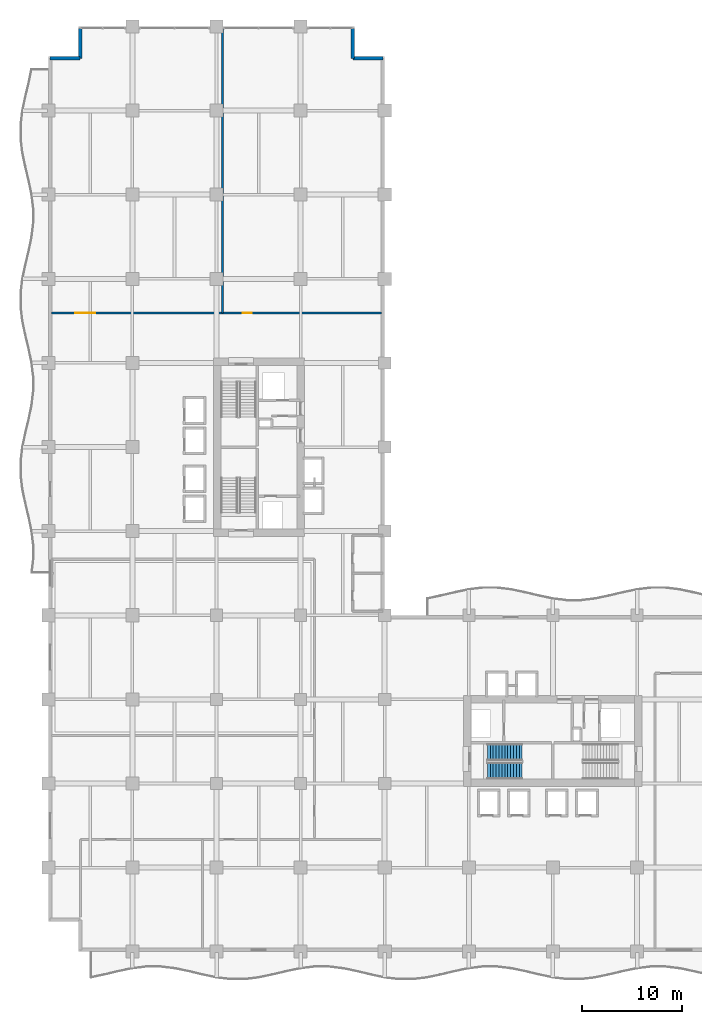
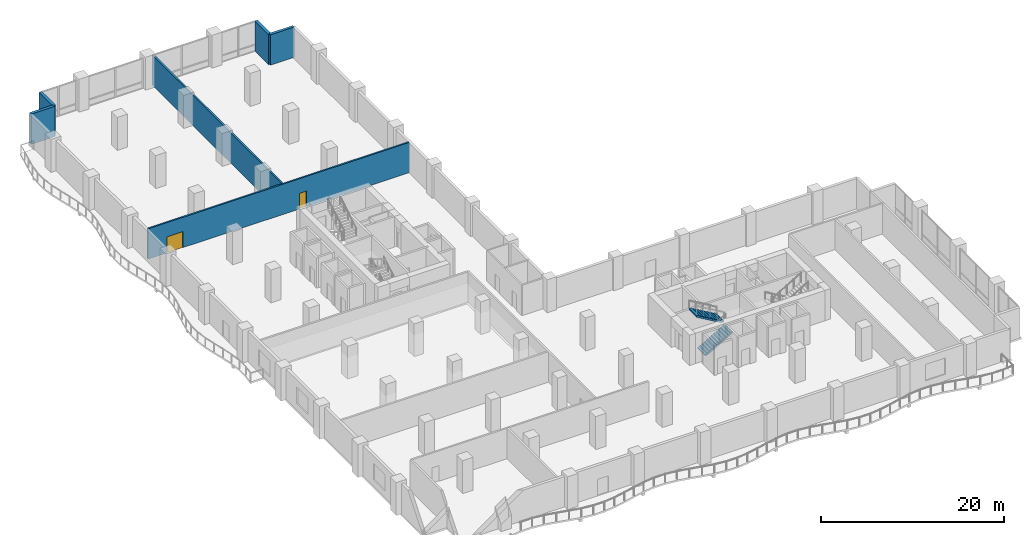
# One storey, part 18 of 24: 6 walls, 2 doors, 2 stair flights, 2 openings, 1 element without a shape of its own.
"""IFC4 building model written with IfcOpenShell, lengths in metres."""

from ifc_helpers import new_model, si_unit, direction, frame, frame_2d, origin, place, context, subcontext, project, spatial, polyline, rectangle, outline, extrude, material, layer, layer_set, type_object, element, fill, aggregate, save


model = new_model("IFC4")

# Units and contexts
model_context = context("Model", 3, precision=1e-05, world=origin(), true_north=direction((0.0, 1.0)))
body_context = subcontext(model_context, "Body", "Model", "MODEL_VIEW")
ifc_project = project(units=[si_unit("LENGTHUNIT", "METRE"), si_unit("AREAUNIT", "SQUARE_METRE"), si_unit("VOLUMEUNIT", "CUBIC_METRE"), si_unit("PLANEANGLEUNIT", "RADIAN"), si_unit("MASSUNIT", "GRAM", prefix="KILO")], contexts=[model_context])

# Site, building, storey
site_placement = place(None, origin())
site = spatial("IfcSite", under=ifc_project, at=site_placement, CompositionType="ELEMENT")
building_placement = place(site_placement, origin())
building = spatial("IfcBuilding", under=site, at=building_placement, Name="Koriwani Terraces Tower", CompositionType="ELEMENT")
storey_placement = place(building_placement, frame((0.0, 0.0, 89.60009765625)))
storey = spatial("IfcBuildingStorey", under=building, at=storey_placement, Name="L21", CompositionType="ELEMENT", Elevation=89.60009765625)

# Wall, openings, doors
ifc_material_1 = material(Name="Autoclaved Cellular Concrete Blockwork", Category="masonry")
ifc_layer_1 = layer(ifc_material_1, 0.199951171875, Name="Autoclaved Cellular Concrete Blockwork")
ifc_layer_set_1 = layer_set([ifc_layer_1], Name="Autoclaved Cellular Concrete Blockwork")
wall_type_1 = type_object("IfcWallType", Name="WALL_CORRIDOR_200", PredefinedType="PARTITIONING", material=ifc_layer_set_1)
wall_1_placement = place(storey_placement, frame((0.300048828125, 63.800048828125, 0.0), z_axis=(0.0, 0.0, 1.0), x_axis=(1.0, 0.0, 0.0)))
wall_1 = element("IfcWall", 1, at=wall_1_placement, inside=storey, type_object=wall_type_1, Name="L21 Interior Wall WSKY-N1-L21", PredefinedType="PARTITIONING", context=body_context, shape_type="SweptSolid", body=[
    extrude(rectangle(XDim=33.0, YDim=0.199951171875, at=frame_2d((16.5, 0.0))), origin(), (0.0, 0.0, 1.0), 4.0498046875),
])
opening_1_placement = place(wall_1_placement, frame((2.39990234375, 0.0, 0.0)))
opening_1 = element("IfcOpeningElement", 2, at=opening_1_placement, cuts=wall_1, Name="Opening D-02", PredefinedType="OPENING", context=body_context, shape_type="SweptSolid", body=[
    extrude(rectangle(XDim=2.0, YDim=2.14990234375, at=frame_2d((1.0, 1.074951171875))), frame((0.0, 0.10986328125, 0.0), z_axis=(0.0, -1.0, 0.0), x_axis=(1.0, 0.0, 0.0)), (0.0, 0.0, 1.0), 0.219970703125),
])
opening_2_placement = place(wall_1_placement, frame((19.10009765625, 0.0, 0.0)))
opening_2 = element("IfcOpeningElement", 3, at=opening_2_placement, cuts=wall_1, Name="Opening D-06", PredefinedType="OPENING", context=body_context, shape_type="SweptSolid", body=[
    extrude(rectangle(XDim=0.919921875, YDim=2.10009765625, at=frame_2d((0.4599609375, 1.050048828125))), frame((0.0, 0.10986328125, 0.0), z_axis=(0.0, -1.0, 0.0), x_axis=(1.0, 0.0, 0.0)), (0.0, 0.0, 1.0), 0.219970703125),
])
ifc_material_2 = material(Name="Anodised Bronze Aluminium", Category="aluminium")
door_type_1 = type_object("IfcDoorType", Name="DOOR_ENTRANCE_DOUBLE_2000X2400", OperationType="NOTDEFINED", PredefinedType="DOOR", material=ifc_material_2)
door_1_placement = place(opening_1_placement, origin())
door_1 = element("IfcDoor", 4, at=door_1_placement, inside=storey, type_object=door_type_1, Name="L21 North Wellness Studio Door", OperationType="SINGLE_SWING_LEFT", OverallHeight=2.14990234375, OverallWidth=2.0, PredefinedType="DOOR", context=body_context, shape_type="SweptSolid", body=[
    extrude(rectangle(XDim=2.0, YDim=2.14990234375, at=frame_2d((1.0, 1.074951171875))), frame((0.0, 0.02490234375, 0.0), z_axis=(0.0, -1.0, 0.0), x_axis=(1.0, 0.0, 0.0)), (0.0, 0.0, 1.0), 0.050048828125),
])
fill(opening_1, door_1)
ifc_material_3 = material(Name="Architectural Oak Fire Door", Category="wood")
door_type_2 = type_object("IfcDoorType", Name="DOOR_ROOM_INT_920X2100", OperationType="NOTDEFINED", PredefinedType="DOOR", material=ifc_material_3)
door_2_placement = place(opening_2_placement, origin())
door_2 = element("IfcDoor", 5, at=door_2_placement, inside=storey, type_object=door_type_2, Name="L21 North Observatory Salon Door", OperationType="SINGLE_SWING_RIGHT", OverallHeight=2.10009765625, OverallWidth=0.919921875, PredefinedType="DOOR", context=body_context, shape_type="SweptSolid", body=[
    extrude(rectangle(XDim=0.919921875, YDim=2.10009765625, at=frame_2d((0.4599609375, 1.050048828125))), frame((0.0, 0.02490234375, 0.0), z_axis=(0.0, -1.0, 0.0), x_axis=(1.0, 0.0, 0.0)), (0.0, 0.0, 1.0), 0.050048828125),
])
fill(opening_2, door_2)

# Walls
ifc_layer_2 = layer(ifc_material_1, 0.219970703125, Name="Autoclaved Cellular Concrete Blockwork")
ifc_layer_set_2 = layer_set([ifc_layer_2], Name="Autoclaved Cellular Concrete Blockwork")
wall_type_2 = type_object("IfcWallType", Name="WALL_DEMISING_220", PredefinedType="PARTITIONING", material=ifc_layer_set_2)
wall_2_placement = place(storey_placement, frame((17.39990234375, 63.800048828125, 0.0), z_axis=(0.0, 0.0, 1.0), x_axis=(0.0, 1.0, 0.0)))
element("IfcWall", 6, at=wall_2_placement, inside=storey, type_object=wall_type_2, Name="L21 Interior Wall WSKY-NDIV-L21", PredefinedType="PARTITIONING", context=body_context, shape_type="SweptSolid", body=[
    extrude(rectangle(XDim=28.449951171875, YDim=0.219970703125, at=frame_2d((14.22509765625, 0.0))), origin(), (0.0, 0.0, 1.0), 4.0498046875),
])
ifc_material_4 = material(Name="Concrete C50/60", Category="concrete")
ifc_layer_3 = layer(ifc_material_4, 0.35009765625, Name="Concrete C50/60")
ifc_layer_set_3 = layer_set([ifc_layer_3], Name="Concrete C50/60")
wall_type_3 = type_object("IfcWallType", Name="WALL_EXT_BRUTALIST_350", PredefinedType="STANDARD", material=ifc_layer_set_3)
for number, where, z_axis, x_axis, name in (
    (7, (0.175048828125, 89.22509765625, 0.0), (0.0, 0.0, 1.0), (1.0, 0.0, 0.0), "L21 Fair-Faced Brutalist Exterior Wall (N3)"),
    (8, (3.175048828125, 89.22509765625, 0.0), (0.0, 0.0, 1.0), (0.0, 1.0, 0.0), "L21 Fair-Faced Brutalist Exterior Wall (N4)"),
    (9, (30.425048828125, 92.22509765625, 0.0), (0.0, 0.0, 1.0), (0.0, -1.0, 0.0), "L21 Fair-Faced Brutalist Exterior Wall (N6)"),
    (10, (30.425048828125, 89.22509765625, 0.0), (0.0, 0.0, 1.0), (1.0, 0.0, 0.0), "L21 Fair-Faced Brutalist Exterior Wall (N7)"),
):
    element("IfcWall", number, at=place(storey_placement, frame(where, z_axis=z_axis, x_axis=x_axis)), inside=storey, type_object=wall_type_3, Name=name, PredefinedType="STANDARD", context=body_context, shape_type="SweptSolid", body=[
        extrude(rectangle(XDim=3.0, YDim=0.35009765625, at=frame_2d((1.5, 0.0))), origin(), (0.0, 0.0, 1.0), 4.0498046875),
    ])

# Stair, stair flights
ifc_material_5 = material(Name="Concrete C40/50", Category="concrete")
stair_type = type_object("IfcStairType", Name="STAIR_CORE_DOGLEG_1650", PredefinedType="TWO_STRAIGHT_RUN_STAIR", material=ifc_material_5)
stair_placement = place(storey_placement, origin())
stair = element("IfcStair", 11, at=stair_placement, inside=storey, type_object=stair_type, Name="L21 East Core Exit Stair 1", PredefinedType="HALF_TURN_STAIR")
stair_flight_type = type_object("IfcStairFlightType", Name="STAIR_FLIGHT_RC_1650", PredefinedType="STRAIGHT", material=ifc_material_5)
stair_flight_1_placement = place(storey_placement, frame((43.85009765625, 18.074951171875, 0.0), z_axis=(0.0, 0.0, 1.0), x_axis=(1.0, 0.0, 0.0)))
stair_flight_1 = element("IfcStairFlight", 12, at=stair_flight_1_placement, type_object=stair_flight_type, Name="ST-E1 flight 1", NumberOfRisers=13, NumberOfTreads=12, PredefinedType="STRAIGHT", RiserHeight=0.169230769, TreadLength=0.29, context=body_context, shape_type="SweptSolid", body=[
    extrude(outline(polyline([(0.0, 0.0), (0.0, 0.169189453125), (0.2900390625, 0.169189453125), (0.2900390625, 0.33837890625), (0.580078125, 0.33837890625), (0.580078125, 0.5078125), (0.8701171875, 0.5078125), (0.8701171875, 0.677001953125), (1.159912109375, 0.677001953125), (1.159912109375, 0.84619140625), (1.449951171875, 0.84619140625), (1.449951171875, 1.015380859375), (1.739990234375, 1.015380859375), (1.739990234375, 1.1845703125), (2.030029296875, 1.1845703125), (2.030029296875, 1.353759765625), (2.320068359375, 1.353759765625), (2.320068359375, 1.523193359375), (2.610107421875, 1.523193359375), (2.610107421875, 1.6923828125), (2.89990234375, 1.6923828125), (2.89990234375, 1.861572265625), (3.18994140625, 1.861572265625), (3.18994140625, 2.03076171875), (3.47998046875, 2.03076171875), (3.47998046875, 2.199951171875), (3.47998046875, 1.822509765625), (0.35693359375, 0.0), (0.0, 0.0)])), frame((0.0, 0.824951171875, 0.0), z_axis=(0.0, -1.0, 0.0), x_axis=(1.0, 0.0, 0.0)), (0.0, 0.0, 1.0), 1.64990234375),
])
stair_flight_2_placement = place(storey_placement, frame((47.330078125, 19.925048828125, 2.199951171875), z_axis=(0.0, 0.0, 1.0), x_axis=(-1.0, 0.0, 0.0)))
stair_flight_2 = element("IfcStairFlight", 13, at=stair_flight_2_placement, type_object=stair_flight_type, Name="ST-E1 flight 2", NumberOfRisers=13, NumberOfTreads=12, PredefinedType="STRAIGHT", RiserHeight=0.169230769, TreadLength=0.29, context=body_context, shape_type="SweptSolid", body=[
    extrude(outline(polyline([(0.0, 0.0), (0.0, 0.169189453125), (0.2900390625, 0.169189453125), (0.2900390625, 0.33837890625), (0.580078125, 0.33837890625), (0.580078125, 0.5078125), (0.8701171875, 0.5078125), (0.8701171875, 0.677001953125), (1.159912109375, 0.677001953125), (1.159912109375, 0.84619140625), (1.449951171875, 0.84619140625), (1.449951171875, 1.015380859375), (1.739990234375, 1.015380859375), (1.739990234375, 1.1845703125), (2.030029296875, 1.1845703125), (2.030029296875, 1.353759765625), (2.320068359375, 1.353759765625), (2.320068359375, 1.523193359375), (2.610107421875, 1.523193359375), (2.610107421875, 1.6923828125), (2.89990234375, 1.6923828125), (2.89990234375, 1.861572265625), (3.18994140625, 1.861572265625), (3.18994140625, 2.03076171875), (3.47998046875, 2.03076171875), (3.47998046875, 2.199951171875), (3.47998046875, 1.822509765625), (0.35693359375, 0.0), (0.0, 0.0)])), frame((0.0, 0.824951171875, 0.0), z_axis=(0.0, -1.0, 0.0), x_axis=(1.0, 0.0, 0.0)), (0.0, 0.0, 1.0), 1.64990234375),
])
aggregate(stair, [stair_flight_1, stair_flight_2])

save(model, "model.ifc")
